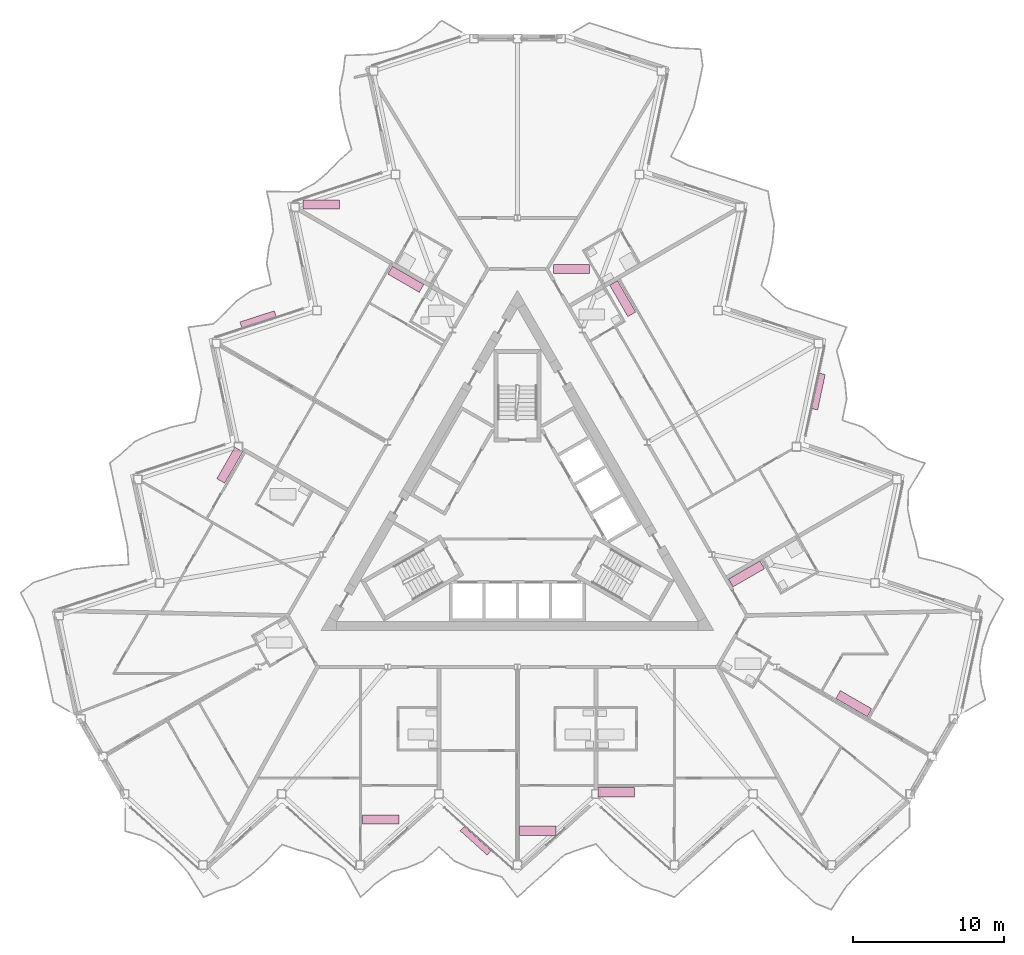
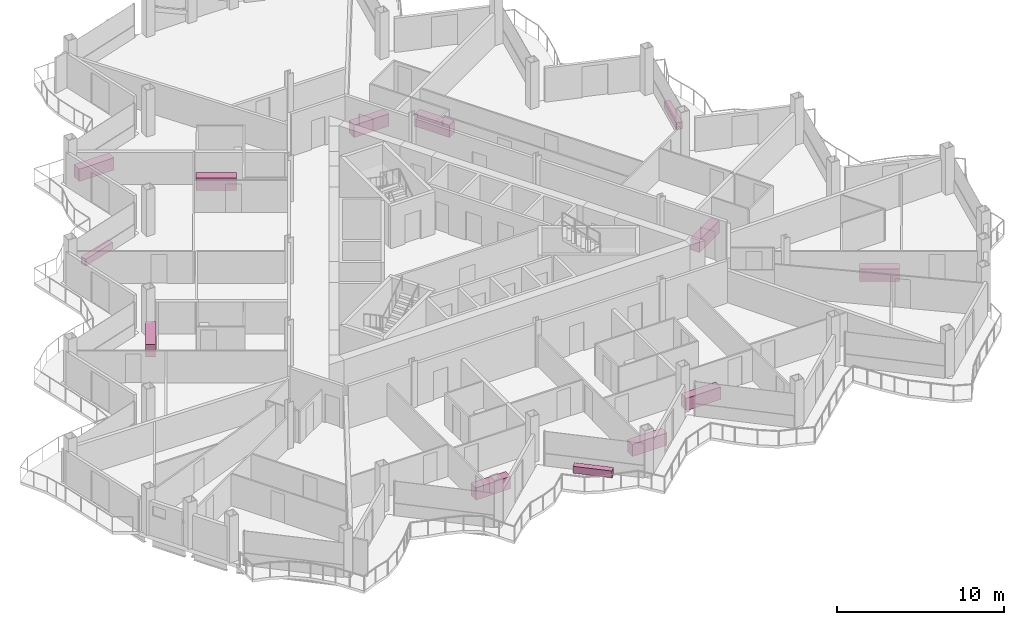
# One storey, part 27 of 27: 13 furniture elements.
"""IFC4 building model written with IfcOpenShell, lengths in metres."""

import ifcopenshell
import ifcopenshell.guid

model = None  # the IFC model being written
_history = None  # IfcOwnerHistory: only IFC2X3 demands one
_inside = {}  # id of a spatial element -> (the spatial element, [elements in it])
_under = {}  # id of a project, library or spatial element -> (it, [spatial elements below it])
_declared = {}  # id of a project -> (the project, [libraries it declares])
_typed = {}  # id of a type object -> (the type object, [elements of that type])
_made_of = {}  # id of a material, layer set ... -> (it, [elements and type objects made of it])


def new_model(schema):
    """Start an empty IFC model of exactly this schema.

    Asked for "IFC4X3", IfcOpenShell would pick the latest addendum, in which some entities
    have other attributes; the version numbers below select the first issue.
    IFC2X3 requires an IfcOwnerHistory on every rooted entity: one is made here for all.
    """
    global model, _history
    if schema == "IFC4X3":
        model = ifcopenshell.file(schema_version=(4, 3, 0, 0))
    else:
        model = ifcopenshell.file(schema=schema)
    _inside.clear()
    _under.clear()
    _declared.clear()
    _typed.clear()
    _made_of.clear()
    _history = None
    if model.schema == "IFC2X3":
        org = make("IfcOrganization", Name="unknown")
        user = make(
            "IfcPersonAndOrganization",
            ThePerson=make("IfcPerson", FamilyName="unknown"),
            TheOrganization=org,
        )
        app = make(
            "IfcApplication",
            ApplicationDeveloper=org,
            Version="unknown",
            ApplicationFullName="unknown",
            ApplicationIdentifier="unknown",
        )
        _history = make(
            "IfcOwnerHistory",
            OwningUser=user,
            OwningApplication=app,
            ChangeAction="ADDED",
            CreationDate=0,
        )
    return model


def make(cls, **values):
    """One entity of the class cls with the attributes given. An attribute that is None is left unset."""
    return model.create_entity(
        cls, **{name: value for name, value in values.items() if value is not None}
    )


def rooted(cls, **values):
    """An entity with a GlobalId (a new one), such as an element, a storey or a relation."""
    return make(cls, GlobalId=ifcopenshell.guid.new(), OwnerHistory=_history, **values)


def si_unit(unit_type, name, prefix=None):
    """IfcSIUnit, for example si_unit("LENGTHUNIT", "METRE", prefix="MILLI")."""
    return make("IfcSIUnit", UnitType=unit_type, Prefix=prefix, Name=name)


def assignment(units):
    """IfcUnitAssignment: the units of a project."""
    return None if units is None else make("IfcUnitAssignment", Units=units)


def point(xyz):
    """IfcCartesianPoint."""
    return None if xyz is None else make("IfcCartesianPoint", Coordinates=xyz)


def direction(xyz):
    """IfcDirection."""
    return None if xyz is None else make("IfcDirection", DirectionRatios=xyz)


def frame(location, z_axis=None, x_axis=None):
    """IfcAxis2Placement3D, a coordinate frame: its origin and axes. An axis left out is left unset."""
    return make(
        "IfcAxis2Placement3D",
        Location=point(location),
        Axis=direction(z_axis),
        RefDirection=direction(x_axis),
    )


def frame_2d(location, x_axis=None):
    """IfcAxis2Placement2D, a coordinate frame in the plane: its origin and x axis."""
    return make(
        "IfcAxis2Placement2D", Location=point(location), RefDirection=direction(x_axis)
    )


def origin():
    """The frame at (0, 0, 0) with its axes left unset."""
    return frame((0.0, 0.0, 0.0))


def origin_2d():
    """The frame at (0, 0) in the plane with its x axis left unset."""
    return frame_2d((0.0, 0.0))


def place(relative_to, where):
    """IfcLocalPlacement: puts the frame where relative to a parent placement (None: the world)."""
    return make(
        "IfcLocalPlacement", PlacementRelTo=relative_to, RelativePlacement=where
    )


def context(
    kind, dimensions, precision=None, world=None, true_north=None, identifier=None
):
    """IfcGeometricRepresentationContext, for example the 3D "Model" context."""
    return make(
        "IfcGeometricRepresentationContext",
        ContextIdentifier=identifier,
        ContextType=kind,
        CoordinateSpaceDimension=dimensions,
        Precision=precision,
        WorldCoordinateSystem=world,
        TrueNorth=true_north,
    )


def subcontext(parent, identifier, kind, view, scale=None):
    """IfcGeometricRepresentationSubContext, for example "Body" below "Model"."""
    return make(
        "IfcGeometricRepresentationSubContext",
        ContextIdentifier=identifier,
        ContextType=kind,
        ParentContext=parent,
        TargetScale=scale,
        TargetView=view,
    )


def project(units=None, contexts=None):
    """IfcProject with its units and contexts."""
    return rooted(
        "IfcProject",
        Name="project",
        RepresentationContexts=contexts,
        UnitsInContext=assignment(units),
    )


def spatial(cls, under=None, at=None, **own):
    """A site, building, storey or space (cls), placed at a placement, below another one or the project."""
    s = rooted(cls, ObjectPlacement=at, **own)
    if under is not None:
        _under.setdefault(under.id(), (under, []))[1].append(s)
    return s


def profile(cls, at=None, kind="AREA", **sizes):
    """A parametric profile (cls). Its sizes go by their IFC names, for example OverallWidth=200.0."""
    return make(cls, ProfileType=kind, Position=at, **sizes)


def rectangle(**sizes):
    """IfcRectangleProfileDef."""
    return profile("IfcRectangleProfileDef", **sizes)


def extrude(swept, where, along, depth):
    """IfcExtrudedAreaSolid: the profile swept, set in the frame where, extruded along a direction by depth."""
    return make(
        "IfcExtrudedAreaSolid",
        SweptArea=swept,
        Position=where,
        ExtrudedDirection=direction(along),
        Depth=depth,
    )


def shape(context_of_items, identifier, shape_type, items):
    """IfcShapeRepresentation: the items that make up one representation, for example the "Body"."""
    return make(
        "IfcShapeRepresentation",
        ContextOfItems=context_of_items,
        RepresentationIdentifier=identifier,
        RepresentationType=shape_type,
        Items=items,
    )


def material(Name=None, Category=None):
    """IfcMaterial."""
    return make("IfcMaterial", Name=Name, Category=Category)


def made_of(thing, what):
    """Note that an element or type object is made of a material, layer set ...; save() writes the relation."""
    if what is not None:
        _made_of.setdefault(what.id(), (what, []))[1].append(thing)
    return thing


def type_object(cls, material=None, **own):
    """A type object (cls), such as IfcWallType, which elements share."""
    return made_of(rooted(cls, **own), material)


def element(
    cls,
    number,
    at=None,
    inside=None,
    cuts=None,
    type_object=None,
    material=None,
    context=None,
    identifier="Body",
    shape_type=None,
    held_by="IfcProductDefinitionShape",
    body=None,
    shapes=None,
    **own,
):
    """One element of the class cls, such as IfcWall. Its Tag is "e" and its number.

    at: its placement. inside: the storey or other place that contains it. cuts: it is an
    opening in that element (IfcRelVoidsElement). A single representation is given by context,
    identifier, shape_type and body (its items); several are given by shapes. held_by: the class
    of the entity that holds the representations. save() writes the other relations.
    """
    e = rooted(cls, Tag="e%d" % number, ObjectPlacement=at, **own)
    if body is not None:
        shapes = [shape(context, identifier, shape_type, body)]
    if shapes is not None:
        e.Representation = make(held_by, Representations=shapes)
    if inside is not None:
        _inside.setdefault(inside.id(), (inside, []))[1].append(e)
    if cuts is not None:
        rooted(
            "IfcRelVoidsElement", RelatingBuildingElement=cuts, RelatedOpeningElement=e
        )
    if type_object is not None:
        _typed.setdefault(type_object.id(), (type_object, []))[1].append(e)
    return made_of(e, material)


def aggregate(whole, parts):
    """IfcRelAggregates: a whole, such as a stair, and the parts it consists of."""
    return rooted("IfcRelAggregates", RelatingObject=whole, RelatedObjects=parts)


def save(model, path):
    """Write the relations noted so far, then the file.

    IfcRelAggregates (storeys below a building ...), IfcRelContainedInSpatialStructure (elements
    in a storey), IfcRelDefinesByType, IfcRelAssociatesMaterial and IfcRelDeclares: one each for
    every whole, place, type object, material and project.
    """
    for whole, parts in _under.values():
        aggregate(whole, parts)
    for where, things in _inside.values():
        rooted(
            "IfcRelContainedInSpatialStructure",
            RelatedElements=things,
            RelatingStructure=where,
        )
    for kind, things in _typed.values():
        rooted("IfcRelDefinesByType", RelatedObjects=things, RelatingType=kind)
    for what, things in _made_of.values():
        rooted("IfcRelAssociatesMaterial", RelatedObjects=things, RelatingMaterial=what)
    for by, libraries in _declared.values():
        rooted("IfcRelDeclares", RelatingContext=by, RelatedDefinitions=libraries)
    model.write(path)


model = new_model("IFC4")

# Units and contexts
model_context = context("Model", 3, precision=1e-05, world=origin(), true_north=direction((0.0, 1.0)))
body_context = subcontext(model_context, "Body", "Model", "MODEL_VIEW")
ifc_project = project(units=[si_unit("LENGTHUNIT", "METRE"), si_unit("AREAUNIT", "SQUARE_METRE"), si_unit("VOLUMEUNIT", "CUBIC_METRE"), si_unit("PLANEANGLEUNIT", "RADIAN"), si_unit("MASSUNIT", "GRAM", prefix="KILO")], contexts=[model_context])

# Site, building, storey
site_placement = place(None, origin())
site = spatial("IfcSite", under=ifc_project, at=site_placement, CompositionType="ELEMENT")
building_placement = place(site_placement, origin())
building = spatial("IfcBuilding", under=site, at=building_placement, Name="Cormorant Prow Tower", CompositionType="ELEMENT")
storey_placement = place(building_placement, frame((0.0, 0.0, 312.0)))
storey = spatial("IfcBuildingStorey", under=building, at=storey_placement, Name="L68", CompositionType="ELEMENT", Elevation=312.0)

# Furniture
ifc_material_1 = material(Name="Terracotta", Category="masonry")
furniture_type_1 = type_object("IfcFurnitureType", Name="Balcony planter 2400x400x500", AssemblyPlace="NOTDEFINED", PredefinedType="USERDEFINED", material=ifc_material_1)
for number, where, z_axis, x_axis, name in (
    (1, (-2.763671875, -21.41015625, 0.0), (0.0, 0.0, 1.0), (0.743144813413, -0.669130619757, 0.0), "Balcony planter S04"),
    (2, (19.923583984375, 8.3115234375, 0.0), (0.0, 0.0, 1.0), (0.207911759908, 0.978147586048, 0.0), "Balcony planter ENE04"),
    (3, (-17.159912109375, 13.098388671875, 0.0), (0.0, 0.0, 1.0), (-0.95105649024, -0.309017074565, 0.0), "Balcony planter WNW04"),
):
    element("IfcFurniture", number, at=place(storey_placement, frame(where, z_axis=z_axis, x_axis=x_axis)), inside=storey, type_object=furniture_type_1, Name=name, ObjectType="PLANTER", PredefinedType="USERDEFINED", context=body_context, shape_type="SweptSolid", body=[
        extrude(rectangle(XDim=2.39990234375, YDim=0.39990234375, at=origin_2d()), origin(), (0.0, 0.0, 1.0), 0.5),
    ])
ifc_material_2 = material(Name="Timber joinery", Category="wood")
furniture_type_2 = type_object("IfcFurnitureType", Name="Kitchen counter 2400x600", AssemblyPlace="NOTDEFINED", PredefinedType="NOTDEFINED", material=ifc_material_2)
for number, where, z_axis, x_axis, name in (
    (4, (-9.04052734375, -19.998779296875, 0.0), (0.0, 0.0, 1.0), (1.0, 0.0, 0.0), "Kitchen counter"),
    (5, (1.344970703125, -20.748779296875, 0.0), (0.0, 0.0, 1.0), (1.0, 0.0, 0.0), "Kitchen counter"),
    (6, (6.537841796875, -18.202880859375, 0.0), (0.0, 0.0, 1.0), (1.0, 0.0, 0.0), "Kitchen counter"),
    (7, (22.255615234375, -12.33544921875, 0.0), (0.0, 0.0, 1.0), (-0.866025403784, 0.5, 0.0), "Kitchen counter"),
    (8, (15.15869140625, -3.75439453125, 0.0), (0.0, 0.0, 1.0), (0.866025403784, 0.5, 0.0), "Kitchen counter"),
    (9, (6.96435546875, 14.460205078125, 0.0), (0.0, 0.0, 1.0), (0.5, -0.866025403784, 0.0), "Kitchen counter"),
    (10, (3.573486328125, 16.4267578125, 0.0), (0.0, 0.0, 1.0), (1.0, 0.0, 0.0), "Kitchen counter"),
    (11, (-12.980224609375, 20.6767578125, 0.0), (0.0, 0.0, 1.0), (1.0, 0.0, 0.0), "Kitchen counter"),
    (12, (-7.384033203125, 15.74169921875, 0.0), (0.0, 0.0, 1.0), (0.866025403784, -0.5, 0.0), "Kitchen counter"),
    (13, (-19.033203125, 3.439697265625, 0.0), (0.0, 0.0, 1.0), (-0.5, -0.866025403784, 0.0), "Kitchen counter"),
):
    element("IfcFurniture", number, at=place(storey_placement, frame(where, z_axis=z_axis, x_axis=x_axis)), inside=storey, type_object=furniture_type_2, Name=name, PredefinedType="NOTDEFINED", context=body_context, shape_type="SweptSolid", body=[
        extrude(rectangle(XDim=2.39990234375, YDim=0.60009765625, at=origin_2d()), origin(), (0.0, 0.0, 1.0), 0.89990234375),
    ])

save(model, "model.ifc")
